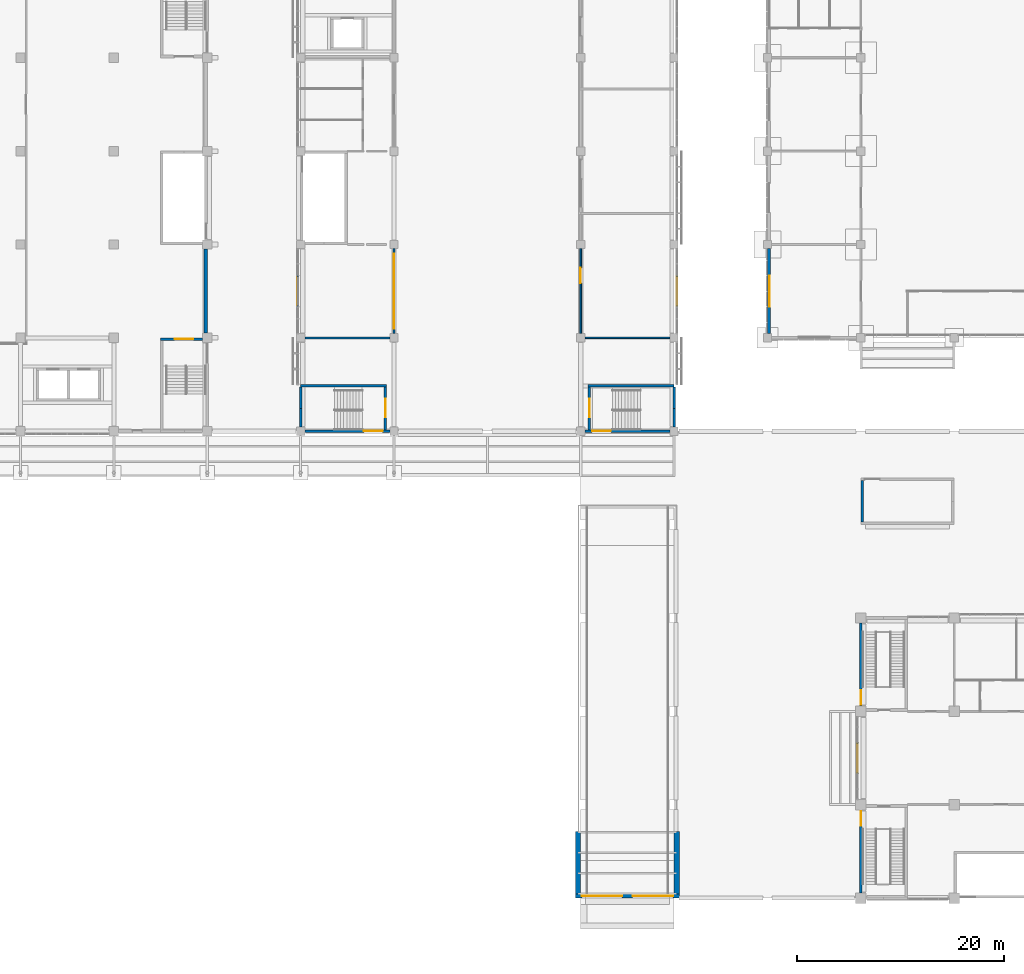
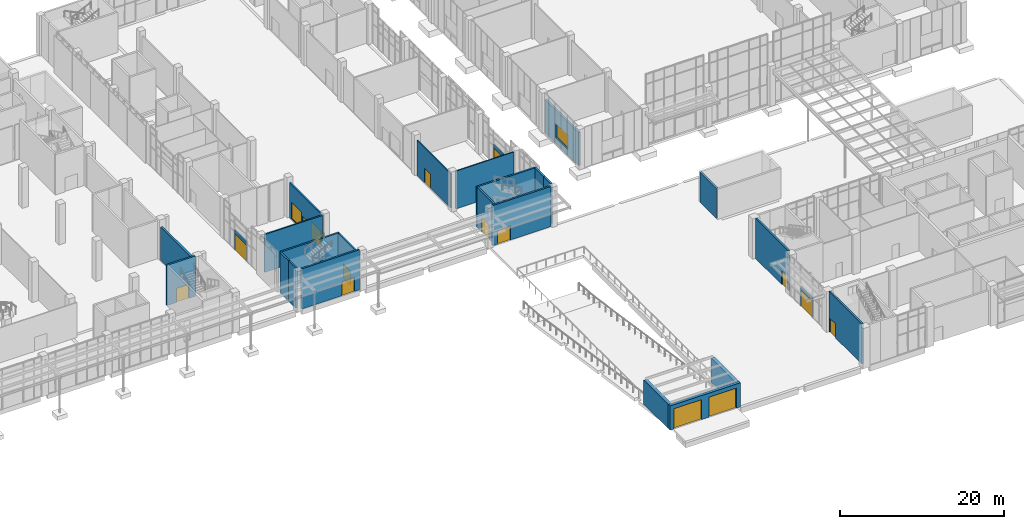
# One storey, part 51 of 86: 26 walls, 14 doors, 3 windows, 17 openings.
"""IFC4 building model written with IfcOpenShell, lengths in metres."""

from ifc_helpers import new_model, si_unit, direction, frame, frame_2d, origin, place, context, subcontext, project, spatial, rectangle, extrude, material, layer, layer_set, type_object, element, fill, save


model = new_model("IFC4")

# Units and contexts
model_context = context("Model", 3, precision=1e-05, world=origin(), true_north=direction((0.0, 1.0)))
body_context = subcontext(model_context, "Body", "Model", "MODEL_VIEW")
ifc_project = project(units=[si_unit("LENGTHUNIT", "METRE"), si_unit("AREAUNIT", "SQUARE_METRE"), si_unit("VOLUMEUNIT", "CUBIC_METRE"), si_unit("PLANEANGLEUNIT", "RADIAN"), si_unit("MASSUNIT", "GRAM", prefix="KILO")], contexts=[model_context])

# Site, building, storey
site_placement = place(None, origin())
site = spatial("IfcSite", under=ifc_project, at=site_placement, CompositionType="ELEMENT")
building_placement = place(site_placement, origin())
building = spatial("IfcBuilding", under=site, at=building_placement, Name="Guidao Yard Department Store", CompositionType="ELEMENT")
storey_placement = place(building_placement, origin())
storey = spatial("IfcBuildingStorey", under=building, at=storey_placement, Name="L00", CompositionType="ELEMENT", Elevation=0.0)

# Wall, opening, window
ifc_material_1 = material(Name="Concrete C30", Category="concrete")
ifc_layer_1 = layer(ifc_material_1, 0.300048828125)
ifc_layer_set_1 = layer_set([ifc_layer_1], Name="Food hall wall 300 C30")
wall_type_1 = type_object("IfcWallType", Name="Food hall wall 300 C30", PredefinedType="SOLIDWALL", material=ifc_layer_set_1)
wall_1_placement = place(storey_placement, frame((117.14990234375, 54.39990234375, 0.0), z_axis=(0.0, 0.0, 1.0), x_axis=(0.0, 1.0, 0.0)))
wall_1 = element("IfcWall", 1, at=wall_1_placement, inside=storey, type_object=wall_type_1, Name="Food hall wall", PredefinedType="SOLIDWALL", context=body_context, shape_type="SweptSolid", body=[
    extrude(rectangle(XDim=8.2001953125, YDim=0.300048828125, at=frame_2d((4.10009765625, 0.0))), origin(), (0.0, 0.0, 1.0), 4.949951171875),
])
opening_1_placement = place(wall_1_placement, frame((2.60009765625, 0.0, 0.89990234375)))
opening_1 = element("IfcOpeningElement", 2, at=opening_1_placement, cuts=wall_1, Name="Opening WN-L00-E12", PredefinedType="OPENING", context=body_context, shape_type="SweptSolid", body=[
    extrude(rectangle(XDim=3.0, YDim=2.10009765625, at=frame_2d((1.5, 1.050048828125))), frame((0.0, 0.159912109375, 0.0), z_axis=(0.0, -1.0, 0.0), x_axis=(1.0, 0.0, 0.0)), (0.0, 0.0, 1.0), 0.320068359375),
])
ifc_material_2 = material(Name="Laminated glass in aluminium frame", Category="aluminium")
window_type_1 = type_object("IfcWindowType", Name="Punched window PW2 3000 x 2100 fixed", PartitioningType="SINGLE_PANEL", PredefinedType="WINDOW", material=ifc_material_2)
window_1_placement = place(opening_1_placement, origin())
window_1 = element("IfcWindow", 3, at=window_1_placement, inside=storey, type_object=window_type_1, Name="Punched window", OverallHeight=2.10009765625, OverallWidth=3.0, PartitioningType="SINGLE_PANEL", PredefinedType="WINDOW", context=body_context, shape_type="SweptSolid", body=[
    extrude(rectangle(XDim=3.0, YDim=2.10009765625, at=frame_2d((1.5, 1.050048828125))), frame((0.0, -0.030029296875, 0.0), z_axis=(0.0, -1.0, 0.0), x_axis=(1.0, 0.0, 0.0)), (0.0, 0.0, 1.0), 0.06005859375),
])
fill(opening_1, window_1)

# Wall, opening, door
ifc_material_3 = material(Name="Aluminium 6063-T5", Category="aluminium")
ifc_layer_2 = layer(ifc_material_3, 0.1201171875)
ifc_layer_set_2 = layer_set([ifc_layer_2], Name="Glazing frame wall 120")
wall_type_2 = type_object("IfcWallType", Name="Glazing frame wall 120", PredefinedType="STANDARD", material=ifc_layer_set_2)
wall_2_placement = place(storey_placement, frame((71.719970703125, 57.030029296875, 0.0), z_axis=(0.0, 0.0, 1.0), x_axis=(0.0, 1.0, 0.0)))
wall_2 = element("IfcWall", 4, at=wall_2_placement, inside=storey, type_object=wall_type_2, Name="Frame wall for Main entrance E4", PredefinedType="STANDARD", context=body_context, shape_type="SweptSolid", body=[
    extrude(rectangle(XDim=2.93994140625, YDim=0.1201171875, at=frame_2d((1.469970703125, 0.0))), origin(), (0.0, 0.0, 1.0), 2.969970703125),
])
opening_2_placement = place(wall_2_placement, frame((0.070068359375, 0.0, 0.0)))
opening_2 = element("IfcOpeningElement", 5, at=opening_2_placement, cuts=wall_2, Name="Opening L00-863", PredefinedType="OPENING", context=body_context, shape_type="SweptSolid", body=[
    extrude(rectangle(XDim=2.800048828125, YDim=2.39990234375, at=frame_2d((1.39990234375, 1.199951171875))), frame((0.0, 0.070068359375, 0.0), z_axis=(0.0, -1.0, 0.0), x_axis=(1.0, 0.0, 0.0)), (0.0, 0.0, 1.0), 0.14013671875),
])
ifc_material_4 = material(Name="Toughened glass in Aluminium 6063-T5 frame", Category="aluminium")
door_type_1 = type_object("IfcDoorType", Name="Entrance door ED1 2800 x 2400 glazed double leaf", OperationType="DOUBLE_DOOR_SINGLE_SWING", PredefinedType="DOOR", material=ifc_material_4)
door_1_placement = place(opening_2_placement, origin())
door_1 = element("IfcDoor", 6, at=door_1_placement, inside=storey, type_object=door_type_1, Name="Main entrance E4", OperationType="DOUBLE_DOOR_SINGLE_SWING", OverallHeight=2.39990234375, OverallWidth=2.800048828125, PredefinedType="DOOR", context=body_context, shape_type="SweptSolid", body=[
    extrude(rectangle(XDim=2.800048828125, YDim=2.39990234375, at=frame_2d((1.39990234375, 1.199951171875))), frame((0.0, 0.02490234375, 0.0), z_axis=(0.0, -1.0, 0.0), x_axis=(1.0, 0.0, 0.0)), (0.0, 0.0, 1.0), 0.050048828125),
])
fill(opening_2, door_1)

wall_3_placement = place(storey_placement, frame((108.280029296875, 59.969970703125, 0.0), z_axis=(0.0, 0.0, 1.0), x_axis=(0.0, -1.0, 0.0)))
wall_3 = element("IfcWall", 7, at=wall_3_placement, inside=storey, type_object=wall_type_2, Name="Frame wall for Main entrance E6", PredefinedType="STANDARD", context=body_context, shape_type="SweptSolid", body=[
    extrude(rectangle(XDim=2.93994140625, YDim=0.1201171875, at=frame_2d((1.469970703125, 0.0))), origin(), (0.0, 0.0, 1.0), 2.969970703125),
])
opening_3_placement = place(wall_3_placement, frame((0.070068359375, 0.0, 0.0)))
opening_3 = element("IfcOpeningElement", 8, at=opening_3_placement, cuts=wall_3, Name="Opening L00-865", PredefinedType="OPENING", context=body_context, shape_type="SweptSolid", body=[
    extrude(rectangle(XDim=2.800048828125, YDim=2.39990234375, at=frame_2d((1.39990234375, 1.199951171875))), frame((0.0, 0.070068359375, 0.0), z_axis=(0.0, -1.0, 0.0), x_axis=(1.0, 0.0, 0.0)), (0.0, 0.0, 1.0), 0.14013671875),
])
door_2_placement = place(opening_3_placement, origin())
door_2 = element("IfcDoor", 9, at=door_2_placement, inside=storey, type_object=door_type_1, Name="Main entrance E6", OperationType="DOUBLE_DOOR_SINGLE_SWING", OverallHeight=2.39990234375, OverallWidth=2.800048828125, PredefinedType="DOOR", context=body_context, shape_type="SweptSolid", body=[
    extrude(rectangle(XDim=2.800048828125, YDim=2.39990234375, at=frame_2d((1.39990234375, 1.199951171875))), frame((0.0, 0.02490234375, 0.0), z_axis=(0.0, -1.0, 0.0), x_axis=(1.0, 0.0, 0.0)), (0.0, 0.0, 1.0), 0.050048828125),
])
fill(opening_3, door_2)

wall_4_placement = place(storey_placement, frame((125.669921875, 12.030029296875, 0.0), z_axis=(0.0, 0.0, 1.0), x_axis=(0.0, 1.0, 0.0)))
wall_4 = element("IfcWall", 10, at=wall_4_placement, inside=storey, type_object=wall_type_2, Name="Frame wall for door", PredefinedType="STANDARD", context=body_context, shape_type="SweptSolid", body=[
    extrude(rectangle(XDim=2.93994140625, YDim=0.1201171875, at=frame_2d((1.469970703125, 0.0))), origin(), (0.0, 0.0, 1.0), 2.969970703125),
])
opening_4_placement = place(wall_4_placement, frame((0.070068359375, 0.0, 0.0)))
opening_4 = element("IfcOpeningElement", 11, at=opening_4_placement, cuts=wall_4, Name="Opening L00-877", PredefinedType="OPENING", context=body_context, shape_type="SweptSolid", body=[
    extrude(rectangle(XDim=2.800048828125, YDim=2.39990234375, at=frame_2d((1.39990234375, 1.199951171875))), frame((0.0, 0.070068359375, 0.0), z_axis=(0.0, -1.0, 0.0), x_axis=(1.0, 0.0, 0.0)), (0.0, 0.0, 1.0), 0.14013671875),
])
door_3_placement = place(opening_4_placement, origin())
door_3 = element("IfcDoor", 12, at=door_3_placement, inside=storey, type_object=door_type_1, Name="Main entrance OE2", OperationType="DOUBLE_DOOR_SINGLE_SWING", OverallHeight=2.39990234375, OverallWidth=2.800048828125, PredefinedType="DOOR", context=body_context, shape_type="SweptSolid", body=[
    extrude(rectangle(XDim=2.800048828125, YDim=2.39990234375, at=frame_2d((1.39990234375, 1.199951171875))), frame((0.0, 0.02490234375, 0.0), z_axis=(0.0, -1.0, 0.0), x_axis=(1.0, 0.0, 0.0)), (0.0, 0.0, 1.0), 0.050048828125),
])
fill(opening_4, door_3)

# Walls
ifc_material_5 = material(Name="Concrete C35", Category="concrete")
ifc_layer_3 = layer(ifc_material_5, 0.300048828125)
ifc_layer_set_3 = layer_set([ifc_layer_3], Name="Hall facade wall 300 C35")
wall_type_3 = type_object("IfcWallType", Name="Hall facade wall 300 C35", PredefinedType="SOLIDWALL", material=ifc_layer_set_3)
wall_5_placement = place(storey_placement, frame((62.85009765625, 62.550048828125, 0.0), z_axis=(0.0, 0.0, 1.0), x_axis=(0.0, -1.0, 0.0)))
element("IfcWall", 13, at=wall_5_placement, inside=storey, type_object=wall_type_3, Name="Hall facade wall", PredefinedType="SOLIDWALL", context=body_context, shape_type="SweptSolid", body=[
    extrude(rectangle(XDim=8.10009765625, YDim=0.300048828125, at=frame_2d((4.050048828125, 0.0))), origin(), (0.0, 0.0, 1.0), 4.949951171875),
])
ifc_material_6 = material(Name="Concrete block MU10", Category="concrete")
ifc_layer_4 = layer(ifc_material_6, 0.199951171875)
ifc_layer_set_4 = layer_set([ifc_layer_4], Name="Shopfront Wall P4 200 mm blockwork EI 60")
wall_type_4 = type_object("IfcWallType", Name="Shopfront Wall P4 200 mm blockwork EI 60", PredefinedType="PARTITIONING", material=ifc_layer_set_4)
wall_6_placement = place(storey_placement, frame((72.39990234375, 54.0, 0.0), z_axis=(0.0, 0.0, 1.0), x_axis=(1.0, 0.0, 0.0)))
element("IfcWall", 14, at=wall_6_placement, inside=storey, type_object=wall_type_4, Name="Wall W-AL00-001", PredefinedType="PARTITIONING", context=body_context, shape_type="SweptSolid", body=[
    extrude(rectangle(XDim=8.2001953125, YDim=0.199951171875, at=frame_2d((4.10009765625, 0.0))), origin(), (0.0, 0.0, 1.0), 5.64990234375),
])

# Wall, openings, door, windows
wall_7_placement = place(storey_placement, frame((81.0, 54.39990234375, 0.0), z_axis=(0.0, 0.0, 1.0), x_axis=(0.0, 1.0, 0.0)))
wall_7 = element("IfcWall", 15, at=wall_7_placement, inside=storey, type_object=wall_type_4, Name="Wall W-AL00-003", PredefinedType="PARTITIONING", context=body_context, shape_type="SweptSolid", body=[
    extrude(rectangle(XDim=8.2001953125, YDim=0.199951171875, at=frame_2d((4.10009765625, 0.0))), origin(), (0.0, 0.0, 1.0), 5.199951171875),
])
opening_5_placement = place(wall_7_placement, frame((3.199951171875, 0.0, 0.0)))
opening_5 = element("IfcOpeningElement", 16, at=opening_5_placement, cuts=wall_7, Name="Opening AL00-001", PredefinedType="OPENING", context=body_context, shape_type="SweptSolid", body=[
    extrude(rectangle(XDim=1.800048828125, YDim=2.10009765625, at=frame_2d((0.89990234375, 1.050048828125))), frame((0.0, 0.10986328125, 0.0), z_axis=(0.0, -1.0, 0.0), x_axis=(1.0, 0.0, 0.0)), (0.0, 0.0, 1.0), 0.219970703125),
])
opening_6_placement = place(wall_7_placement, frame((0.5, 0.0, 0.14990234375)))
opening_6 = element("IfcOpeningElement", 17, at=opening_6_placement, cuts=wall_7, Name="Opening WN-AL00-301", PredefinedType="OPENING", context=body_context, shape_type="SweptSolid", body=[
    extrude(rectangle(XDim=2.5, YDim=2.39990234375, at=frame_2d((1.25, 1.199951171875))), frame((0.0, 0.10986328125, 0.0), z_axis=(0.0, -1.0, 0.0), x_axis=(1.0, 0.0, 0.0)), (0.0, 0.0, 1.0), 0.219970703125),
])
opening_7_placement = place(wall_7_placement, frame((5.199951171875, 0.0, 0.14990234375)))
opening_7 = element("IfcOpeningElement", 18, at=opening_7_placement, cuts=wall_7, Name="Opening WN-AL00-302", PredefinedType="OPENING", context=body_context, shape_type="SweptSolid", body=[
    extrude(rectangle(XDim=2.5, YDim=2.39990234375, at=frame_2d((1.25, 1.199951171875))), frame((0.0, 0.10986328125, 0.0), z_axis=(0.0, -1.0, 0.0), x_axis=(1.0, 0.0, 0.0)), (0.0, 0.0, 1.0), 0.219970703125),
])
ifc_material_7 = material(Name="Steel Q235", Category="steel")
door_type_2 = type_object("IfcDoorType", Name="Door FD5 double 1800 x 2100 FD60", OperationType="DOUBLE_DOOR_SINGLE_SWING", PredefinedType="DOOR", material=ifc_material_7)
door_4_placement = place(opening_5_placement, origin())
door_4 = element("IfcDoor", 19, at=door_4_placement, inside=storey, type_object=door_type_2, Name="Door AL00-001", OperationType="DOUBLE_DOOR_SINGLE_SWING", OverallHeight=2.10009765625, OverallWidth=1.800048828125, PredefinedType="DOOR", context=body_context, shape_type="SweptSolid", body=[
    extrude(rectangle(XDim=1.800048828125, YDim=2.10009765625, at=frame_2d((0.89990234375, 1.050048828125))), frame((0.0, 0.02490234375, 0.0), z_axis=(0.0, -1.0, 0.0), x_axis=(1.0, 0.0, 0.0)), (0.0, 0.0, 1.0), 0.050048828125),
])
fill(opening_5, door_4)
ifc_material_8 = material(Name="Fire-rated glazing in Steel Q235 frame", Category="steel")
window_type_2 = type_object("IfcWindowType", Name="Window WN1 fire-glazed shop panel 2500 x 2400 EI 60", PartitioningType="SINGLE_PANEL", PredefinedType="WINDOW", material=ifc_material_8)
window_2_placement = place(opening_6_placement, origin())
window_2 = element("IfcWindow", 20, at=window_2_placement, inside=storey, type_object=window_type_2, Name="Window WN-AL00-301", OverallHeight=2.39990234375, OverallWidth=2.5, PartitioningType="SINGLE_PANEL", PredefinedType="WINDOW", context=body_context, shape_type="SweptSolid", body=[
    extrude(rectangle(XDim=2.5, YDim=2.39990234375, at=frame_2d((1.25, 1.199951171875))), frame((0.0, 0.030029296875, 0.0), z_axis=(0.0, -1.0, 0.0), x_axis=(1.0, 0.0, 0.0)), (0.0, 0.0, 1.0), 0.06005859375),
])
fill(opening_6, window_2)
window_3_placement = place(opening_7_placement, origin())
window_3 = element("IfcWindow", 21, at=window_3_placement, inside=storey, type_object=window_type_2, Name="Window WN-AL00-302", OverallHeight=2.39990234375, OverallWidth=2.5, PartitioningType="SINGLE_PANEL", PredefinedType="WINDOW", context=body_context, shape_type="SweptSolid", body=[
    extrude(rectangle(XDim=2.5, YDim=2.39990234375, at=frame_2d((1.25, 1.199951171875))), frame((0.0, 0.030029296875, 0.0), z_axis=(0.0, -1.0, 0.0), x_axis=(1.0, 0.0, 0.0)), (0.0, 0.0, 1.0), 0.06005859375),
])
fill(opening_7, window_3)

# Wall
ifc_material_9 = material(Name="Concrete block MU10", Category="concrete")
ifc_layer_5 = layer(ifc_material_9, 0.14990234375)
ifc_layer_set_5 = layer_set([ifc_layer_5], Name="Wall P2 150 mm blockwork EI 60")
wall_type_5 = type_object("IfcWallType", Name="Wall P2 150 mm blockwork EI 60", PredefinedType="PARTITIONING", material=ifc_layer_set_5)
wall_8_placement = place(storey_placement, frame((99.39990234375, 54.0, 0.0), z_axis=(0.0, 0.0, 1.0), x_axis=(1.0, 0.0, 0.0)))
element("IfcWall", 22, at=wall_8_placement, inside=storey, type_object=wall_type_5, Name="Wall W-AL00-002", PredefinedType="PARTITIONING", context=body_context, shape_type="SweptSolid", body=[
    extrude(rectangle(XDim=8.2001953125, YDim=0.14990234375, at=frame_2d((4.10009765625, 0.0))), origin(), (0.0, 0.0, 1.0), 5.64990234375),
])

# Wall, opening, door
wall_9_placement = place(storey_placement, frame((99.0, 54.39990234375, 0.0), z_axis=(0.0, 0.0, 1.0), x_axis=(0.0, 1.0, 0.0)))
wall_9 = element("IfcWall", 23, at=wall_9_placement, inside=storey, type_object=wall_type_5, Name="Wall W-AL00-004", PredefinedType="PARTITIONING", context=body_context, shape_type="SweptSolid", body=[
    extrude(rectangle(XDim=8.2001953125, YDim=0.14990234375, at=frame_2d((4.10009765625, 0.0))), origin(), (0.0, 0.0, 1.0), 5.199951171875),
])
opening_8_placement = place(wall_9_placement, frame((6.35009765625, 0.0, 0.0), z_axis=(0.0, 0.0, 1.0), x_axis=(-1.0, 0.0, 0.0)))
opening_8 = element("IfcOpeningElement", 24, at=opening_8_placement, cuts=wall_9, Name="Opening AL00-002", PredefinedType="OPENING", context=body_context, shape_type="SweptSolid", body=[
    extrude(rectangle(XDim=1.5, YDim=2.10009765625, at=frame_2d((0.75, 1.050048828125))), frame((0.0, 0.0849609375, 0.0), z_axis=(0.0, -1.0, 0.0), x_axis=(1.0, 0.0, 0.0)), (0.0, 0.0, 1.0), 0.169921875),
])
ifc_material_10 = material(Name="Steel Q235", Category="steel")
door_type_3 = type_object("IfcDoorType", Name="Door FD11 trolley double 1500 x 2100 FD60", OperationType="DOUBLE_DOOR_SINGLE_SWING", PredefinedType="DOOR", material=ifc_material_10)
door_5_placement = place(opening_8_placement, origin())
door_5 = element("IfcDoor", 25, at=door_5_placement, inside=storey, type_object=door_type_3, Name="Door AL00-002", OperationType="DOUBLE_DOOR_SINGLE_SWING", OverallHeight=2.10009765625, OverallWidth=1.5, PredefinedType="DOOR", context=body_context, shape_type="SweptSolid", body=[
    extrude(rectangle(XDim=1.5, YDim=2.10009765625, at=frame_2d((0.75, 1.050048828125))), frame((0.0, 0.02490234375, 0.0), z_axis=(0.0, -1.0, 0.0), x_axis=(1.0, 0.0, 0.0)), (0.0, 0.0, 1.0), 0.050048828125),
])
fill(opening_8, door_5)

# Wall
ifc_material_11 = material(Name="Concrete C40", Category="concrete")
ifc_layer_6 = layer(ifc_material_11, 0.25)
ifc_layer_set_6 = layer_set([ifc_layer_6], Name="Wall RC 250 C40 stair and shaft")
wall_type_6 = type_object("IfcWallType", Name="Wall RC 250 C40 stair and shaft", PredefinedType="SHEAR", material=ifc_layer_set_6)
wall_10_placement = place(storey_placement, frame((126.125, 36.25, 0.0), z_axis=(0.0, 0.0, 1.0), x_axis=(0.0, 1.0, 0.0)))
element("IfcWall", 26, at=wall_10_placement, inside=storey, type_object=wall_type_6, Name="Stair wall BSY1", PredefinedType="SHEAR", context=body_context, shape_type="SweptSolid", body=[
    extrude(rectangle(XDim=4.0, YDim=0.25, at=frame_2d((2.0, 0.0))), origin(), (0.0, 0.0, 1.0), 4.5),
])

# Wall, opening, door
wall_11_placement = place(storey_placement, frame((58.5, 53.875, 0.0), z_axis=(0.0, 0.0, 1.0), x_axis=(1.0, 0.0, 0.0)))
wall_11 = element("IfcWall", 27, at=wall_11_placement, inside=storey, type_object=wall_type_6, Name="Stair wall SA2", PredefinedType="SHEAR", context=body_context, shape_type="SweptSolid", body=[
    extrude(rectangle(XDim=4.050048828125, YDim=0.25, at=frame_2d((2.02490234375, 0.0))), origin(), (0.0, 0.0, 1.0), 6.0),
])
opening_9_placement = place(wall_11_placement, frame((3.150146484375, 0.0, 0.0), z_axis=(0.0, 0.0, 1.0), x_axis=(-1.0, 0.0, 0.0)))
opening_9 = element("IfcOpeningElement", 28, at=opening_9_placement, cuts=wall_11, Name="Opening L00-810", PredefinedType="OPENING", context=body_context, shape_type="SweptSolid", body=[
    extrude(rectangle(XDim=1.800048828125, YDim=2.10009765625, at=frame_2d((0.89990234375, 1.050048828125))), frame((0.0, 0.135009765625, 0.0), z_axis=(0.0, -1.0, 0.0), x_axis=(1.0, 0.0, 0.0)), (0.0, 0.0, 1.0), 0.27001953125),
])
ifc_material_12 = material(Name="Steel Q235", Category="steel")
door_type_4 = type_object("IfcDoorType", Name="Door fire-resisting 1800 x 2100 FD60", OperationType="DOUBLE_DOOR_SINGLE_SWING", PredefinedType="DOOR", material=ifc_material_12)
door_6_placement = place(opening_9_placement, origin())
door_6 = element("IfcDoor", 29, at=door_6_placement, inside=storey, type_object=door_type_4, Name="Stair A2 door L00", OperationType="DOUBLE_DOOR_SINGLE_SWING", OverallHeight=2.10009765625, OverallWidth=1.800048828125, PredefinedType="DOOR", context=body_context, shape_type="SweptSolid", body=[
    extrude(rectangle(XDim=1.800048828125, YDim=2.10009765625, at=frame_2d((0.89990234375, 1.050048828125))), frame((0.0, 0.02490234375, 0.0), z_axis=(0.0, -1.0, 0.0), x_axis=(1.0, 0.0, 0.0)), (0.0, 0.0, 1.0), 0.050048828125),
])
fill(opening_9, door_6)

wall_12_placement = place(storey_placement, frame((72.39990234375, 45.0, 0.0), z_axis=(0.0, 0.0, 1.0), x_axis=(1.0, 0.0, 0.0)))
wall_12 = element("IfcWall", 30, at=wall_12_placement, inside=storey, type_object=wall_type_6, Name="Stair wall SG1", PredefinedType="SHEAR", context=body_context, shape_type="SweptSolid", body=[
    extrude(rectangle(XDim=8.2001953125, YDim=0.25, at=frame_2d((4.10009765625, 0.0))), origin(), (0.0, 0.0, 1.0), 6.0),
])
opening_10_placement = place(wall_12_placement, frame((7.5, 0.0, 0.0), z_axis=(0.0, 0.0, 1.0), x_axis=(-1.0, 0.0, 0.0)))
opening_10 = element("IfcOpeningElement", 31, at=opening_10_placement, cuts=wall_12, Name="Opening L00-831", PredefinedType="OPENING", context=body_context, shape_type="SweptSolid", body=[
    extrude(rectangle(XDim=1.800048828125, YDim=2.10009765625, at=frame_2d((0.89990234375, 1.050048828125))), frame((0.0, 0.135009765625, 0.0), z_axis=(0.0, -1.0, 0.0), x_axis=(1.0, 0.0, 0.0)), (0.0, 0.0, 1.0), 0.27001953125),
])
door_7_placement = place(opening_10_placement, origin())
door_7 = element("IfcDoor", 32, at=door_7_placement, inside=storey, type_object=door_type_4, Name="Stair G1 door L00 discharge", OperationType="DOUBLE_DOOR_SINGLE_SWING", OverallHeight=2.10009765625, OverallWidth=1.800048828125, PredefinedType="DOOR", context=body_context, shape_type="SweptSolid", body=[
    extrude(rectangle(XDim=1.800048828125, YDim=2.10009765625, at=frame_2d((0.89990234375, 1.050048828125))), frame((0.0, 0.02490234375, 0.0), z_axis=(0.0, -1.0, 0.0), x_axis=(1.0, 0.0, 0.0)), (0.0, 0.0, 1.0), 0.050048828125),
])
fill(opening_10, door_7)

# Walls
wall_13_placement = place(storey_placement, frame((72.0, 49.375, 0.0), z_axis=(0.0, 0.0, 1.0), x_axis=(1.0, 0.0, 0.0)))
element("IfcWall", 33, at=wall_13_placement, inside=storey, type_object=wall_type_6, Name="Stair wall SG1", PredefinedType="SHEAR", context=body_context, shape_type="SweptSolid", body=[
    extrude(rectangle(XDim=8.300048828125, YDim=0.25, at=frame_2d((4.14990234375, 0.0))), origin(), (0.0, 0.0, 1.0), 6.0),
])
wall_14_placement = place(storey_placement, frame((72.0, 45.39990234375, 0.0), z_axis=(0.0, 0.0, 1.0), x_axis=(0.0, 1.0, 0.0)))
element("IfcWall", 34, at=wall_14_placement, inside=storey, type_object=wall_type_6, Name="Stair wall SG1", PredefinedType="SHEAR", context=body_context, shape_type="SweptSolid", body=[
    extrude(rectangle(XDim=1.7880859375, YDim=0.25, at=frame_2d((0.89404296875, 0.0))), origin(), (0.0, 0.0, 1.0), 6.0),
])
wall_15_placement = place(storey_placement, frame((72.0, 47.18798828125, 0.0), z_axis=(0.0, 0.0, 1.0), x_axis=(0.0, 1.0, 0.0)))
element("IfcWall", 35, at=wall_15_placement, inside=storey, type_object=wall_type_6, Name="Stair wall SG1", PredefinedType="SHEAR", context=body_context, shape_type="SweptSolid", body=[
    extrude(rectangle(XDim=2.06201171875, YDim=0.25, at=frame_2d((1.031005859375, 0.0))), origin(), (0.0, 0.0, 1.0), 6.0),
])

# Wall, opening, door
wall_16_placement = place(storey_placement, frame((80.175048828125, 45.125, 0.0), z_axis=(0.0, 0.0, 1.0), x_axis=(0.0, 1.0, 0.0)))
wall_16 = element("IfcWall", 36, at=wall_16_placement, inside=storey, type_object=wall_type_6, Name="Stair wall SG1", PredefinedType="SHEAR", context=body_context, shape_type="SweptSolid", body=[
    extrude(rectangle(XDim=4.125, YDim=0.25, at=frame_2d((2.0625, 0.0))), origin(), (0.0, 0.0, 1.0), 6.0),
])
opening_11_placement = place(wall_16_placement, frame((3.025146484375, 0.0, 0.0), z_axis=(0.0, 0.0, 1.0), x_axis=(-1.0, 0.0, 0.0)))
opening_11 = element("IfcOpeningElement", 37, at=opening_11_placement, cuts=wall_16, Name="Opening L00-830", PredefinedType="OPENING", context=body_context, shape_type="SweptSolid", body=[
    extrude(rectangle(XDim=1.800048828125, YDim=2.10009765625, at=frame_2d((0.89990234375, 1.050048828125))), frame((0.0, 0.135009765625, 0.0), z_axis=(0.0, -1.0, 0.0), x_axis=(1.0, 0.0, 0.0)), (0.0, 0.0, 1.0), 0.27001953125),
])
door_8_placement = place(opening_11_placement, origin())
door_8 = element("IfcDoor", 38, at=door_8_placement, inside=storey, type_object=door_type_4, Name="Stair G1 door L00", OperationType="DOUBLE_DOOR_SINGLE_SWING", OverallHeight=2.10009765625, OverallWidth=1.800048828125, PredefinedType="DOOR", context=body_context, shape_type="SweptSolid", body=[
    extrude(rectangle(XDim=1.800048828125, YDim=2.10009765625, at=frame_2d((0.89990234375, 1.050048828125))), frame((0.0, 0.02490234375, 0.0), z_axis=(0.0, -1.0, 0.0), x_axis=(1.0, 0.0, 0.0)), (0.0, 0.0, 1.0), 0.050048828125),
])
fill(opening_11, door_8)

wall_17_placement = place(storey_placement, frame((99.39990234375, 45.0, 0.0), z_axis=(0.0, 0.0, 1.0), x_axis=(1.0, 0.0, 0.0)))
wall_17 = element("IfcWall", 39, at=wall_17_placement, inside=storey, type_object=wall_type_6, Name="Stair wall SG3", PredefinedType="SHEAR", context=body_context, shape_type="SweptSolid", body=[
    extrude(rectangle(XDim=8.2001953125, YDim=0.25, at=frame_2d((4.10009765625, 0.0))), origin(), (0.0, 0.0, 1.0), 6.0),
])
opening_12_placement = place(wall_17_placement, frame((2.5, 0.0, 0.0), z_axis=(0.0, 0.0, 1.0), x_axis=(-1.0, 0.0, 0.0)))
opening_12 = element("IfcOpeningElement", 40, at=opening_12_placement, cuts=wall_17, Name="Opening L00-835", PredefinedType="OPENING", context=body_context, shape_type="SweptSolid", body=[
    extrude(rectangle(XDim=1.800048828125, YDim=2.10009765625, at=frame_2d((0.89990234375, 1.050048828125))), frame((0.0, 0.135009765625, 0.0), z_axis=(0.0, -1.0, 0.0), x_axis=(1.0, 0.0, 0.0)), (0.0, 0.0, 1.0), 0.27001953125),
])
door_9_placement = place(opening_12_placement, origin())
door_9 = element("IfcDoor", 41, at=door_9_placement, inside=storey, type_object=door_type_4, Name="Stair G3 door L00 discharge", OperationType="DOUBLE_DOOR_SINGLE_SWING", OverallHeight=2.10009765625, OverallWidth=1.800048828125, PredefinedType="DOOR", context=body_context, shape_type="SweptSolid", body=[
    extrude(rectangle(XDim=1.800048828125, YDim=2.10009765625, at=frame_2d((0.89990234375, 1.050048828125))), frame((0.0, 0.02490234375, 0.0), z_axis=(0.0, -1.0, 0.0), x_axis=(1.0, 0.0, 0.0)), (0.0, 0.0, 1.0), 0.050048828125),
])
fill(opening_12, door_9)

# Wall
wall_18_placement = place(storey_placement, frame((99.699951171875, 49.375, 0.0), z_axis=(0.0, 0.0, 1.0), x_axis=(1.0, 0.0, 0.0)))
element("IfcWall", 42, at=wall_18_placement, inside=storey, type_object=wall_type_6, Name="Stair wall SG3", PredefinedType="SHEAR", context=body_context, shape_type="SweptSolid", body=[
    extrude(rectangle(XDim=8.300048828125, YDim=0.25, at=frame_2d((4.14990234375, 0.0))), origin(), (0.0, 0.0, 1.0), 6.0),
])

# Wall, opening, door
wall_19_placement = place(storey_placement, frame((99.824951171875, 45.125, 0.0), z_axis=(0.0, 0.0, 1.0), x_axis=(0.0, 1.0, 0.0)))
wall_19 = element("IfcWall", 43, at=wall_19_placement, inside=storey, type_object=wall_type_6, Name="Stair wall SG3", PredefinedType="SHEAR", context=body_context, shape_type="SweptSolid", body=[
    extrude(rectangle(XDim=4.125, YDim=0.25, at=frame_2d((2.0625, 0.0))), origin(), (0.0, 0.0, 1.0), 6.0),
])
opening_13_placement = place(wall_19_placement, frame((1.22509765625, 0.0, 0.0)))
opening_13 = element("IfcOpeningElement", 44, at=opening_13_placement, cuts=wall_19, Name="Opening L00-834", PredefinedType="OPENING", context=body_context, shape_type="SweptSolid", body=[
    extrude(rectangle(XDim=1.800048828125, YDim=2.10009765625, at=frame_2d((0.89990234375, 1.050048828125))), frame((0.0, 0.135009765625, 0.0), z_axis=(0.0, -1.0, 0.0), x_axis=(1.0, 0.0, 0.0)), (0.0, 0.0, 1.0), 0.27001953125),
])
door_10_placement = place(opening_13_placement, origin())
door_10 = element("IfcDoor", 45, at=door_10_placement, inside=storey, type_object=door_type_4, Name="Stair G3 door L00", OperationType="DOUBLE_DOOR_SINGLE_SWING", OverallHeight=2.10009765625, OverallWidth=1.800048828125, PredefinedType="DOOR", context=body_context, shape_type="SweptSolid", body=[
    extrude(rectangle(XDim=1.800048828125, YDim=2.10009765625, at=frame_2d((0.89990234375, 1.050048828125))), frame((0.0, 0.02490234375, 0.0), z_axis=(0.0, -1.0, 0.0), x_axis=(1.0, 0.0, 0.0)), (0.0, 0.0, 1.0), 0.050048828125),
])
fill(opening_13, door_10)

# Walls
wall_20_placement = place(storey_placement, frame((108.0, 45.39990234375, 0.0), z_axis=(0.0, 0.0, 1.0), x_axis=(0.0, 1.0, 0.0)))
element("IfcWall", 46, at=wall_20_placement, inside=storey, type_object=wall_type_6, Name="Stair wall SG3", PredefinedType="SHEAR", context=body_context, shape_type="SweptSolid", body=[
    extrude(rectangle(XDim=1.7880859375, YDim=0.25, at=frame_2d((0.89404296875, 0.0))), origin(), (0.0, 0.0, 1.0), 6.0),
])
wall_21_placement = place(storey_placement, frame((108.0, 47.18798828125, 0.0), z_axis=(0.0, 0.0, 1.0), x_axis=(0.0, 1.0, 0.0)))
element("IfcWall", 47, at=wall_21_placement, inside=storey, type_object=wall_type_6, Name="Stair wall SG3", PredefinedType="SHEAR", context=body_context, shape_type="SweptSolid", body=[
    extrude(rectangle(XDim=2.06201171875, YDim=0.25, at=frame_2d((1.031005859375, 0.0))), origin(), (0.0, 0.0, 1.0), 6.0),
])

# Wall, opening, door
wall_22_placement = place(storey_placement, frame((126.0, 0.5, 0.0), z_axis=(0.0, 0.0, 1.0), x_axis=(0.0, 1.0, 0.0)))
wall_22 = element("IfcWall", 48, at=wall_22_placement, inside=storey, type_object=wall_type_6, Name="Stair wall SO1", PredefinedType="SHEAR", context=body_context, shape_type="SweptSolid", body=[
    extrude(rectangle(XDim=8.0, YDim=0.25, at=frame_2d((4.0, 0.0))), origin(), (0.0, 0.0, 1.0), 6.0),
])
opening_14_placement = place(wall_22_placement, frame((6.449951171875, 0.0, 0.0)))
opening_14 = element("IfcOpeningElement", 49, at=opening_14_placement, cuts=wall_22, Name="Opening L00-839", PredefinedType="OPENING", context=body_context, shape_type="SweptSolid", body=[
    extrude(rectangle(XDim=1.39990234375, YDim=2.10009765625, at=frame_2d((0.699951171875, 1.050048828125))), frame((0.0, 0.135009765625, 0.0), z_axis=(0.0, -1.0, 0.0), x_axis=(1.0, 0.0, 0.0)), (0.0, 0.0, 1.0), 0.27001953125),
])
ifc_material_13 = material(Name="Steel Q235", Category="steel")
door_type_5 = type_object("IfcDoorType", Name="Door fire-resisting 1400 x 2100 FD60", OperationType="DOUBLE_DOOR_SINGLE_SWING", PredefinedType="DOOR", material=ifc_material_13)
door_11_placement = place(opening_14_placement, origin())
door_11 = element("IfcDoor", 50, at=door_11_placement, inside=storey, type_object=door_type_5, Name="Stair O1 door L00 discharge", OperationType="DOUBLE_DOOR_SINGLE_SWING", OverallHeight=2.10009765625, OverallWidth=1.39990234375, PredefinedType="DOOR", context=body_context, shape_type="SweptSolid", body=[
    extrude(rectangle(XDim=1.39990234375, YDim=2.10009765625, at=frame_2d((0.699951171875, 1.050048828125))), frame((0.0, 0.02490234375, 0.0), z_axis=(0.0, -1.0, 0.0), x_axis=(1.0, 0.0, 0.0)), (0.0, 0.0, 1.0), 0.050048828125),
])
fill(opening_14, door_11)

wall_23_placement = place(storey_placement, frame((126.0, 18.5, 0.0), z_axis=(0.0, 0.0, 1.0), x_axis=(0.0, 1.0, 0.0)))
wall_23 = element("IfcWall", 51, at=wall_23_placement, inside=storey, type_object=wall_type_6, Name="Stair wall SO3", PredefinedType="SHEAR", context=body_context, shape_type="SweptSolid", body=[
    extrude(rectangle(XDim=8.0, YDim=0.25, at=frame_2d((4.0, 0.0))), origin(), (0.0, 0.0, 1.0), 6.0),
])
opening_15_placement = place(wall_23_placement, frame((0.14990234375, 0.0, 0.0)))
opening_15 = element("IfcOpeningElement", 52, at=opening_15_placement, cuts=wall_23, Name="Opening L00-843", PredefinedType="OPENING", context=body_context, shape_type="SweptSolid", body=[
    extrude(rectangle(XDim=1.39990234375, YDim=2.10009765625, at=frame_2d((0.699951171875, 1.050048828125))), frame((0.0, 0.135009765625, 0.0), z_axis=(0.0, -1.0, 0.0), x_axis=(1.0, 0.0, 0.0)), (0.0, 0.0, 1.0), 0.27001953125),
])
door_12_placement = place(opening_15_placement, origin())
door_12 = element("IfcDoor", 53, at=door_12_placement, inside=storey, type_object=door_type_5, Name="Stair O3 door L00 discharge", OperationType="DOUBLE_DOOR_SINGLE_SWING", OverallHeight=2.10009765625, OverallWidth=1.39990234375, PredefinedType="DOOR", context=body_context, shape_type="SweptSolid", body=[
    extrude(rectangle(XDim=1.39990234375, YDim=2.10009765625, at=frame_2d((0.699951171875, 1.050048828125))), frame((0.0, 0.02490234375, 0.0), z_axis=(0.0, -1.0, 0.0), x_axis=(1.0, 0.0, 0.0)), (0.0, 0.0, 1.0), 0.050048828125),
])
fill(opening_15, door_12)

# Wall, openings, doors
ifc_material_14 = material(Name="Concrete C30", Category="concrete")
ifc_layer_7 = layer(ifc_material_14, 0.39990234375)
ifc_layer_set_7 = layer_set([ifc_layer_7], Name="Wall RC 400 C30 portal")
wall_type_7 = type_object("IfcWallType", Name="Wall RC 400 C30 portal", PredefinedType="STANDARD", material=ifc_layer_set_7)
wall_24_placement = place(storey_placement, frame((98.5, 0.199951171875, 0.0), z_axis=(0.0, 0.0, 1.0), x_axis=(1.0, 0.0, 0.0)))
wall_24 = element("IfcWall", 54, at=wall_24_placement, inside=storey, type_object=wall_type_7, Name="Ramp A portal wall", PredefinedType="STANDARD", context=body_context, shape_type="SweptSolid", body=[
    extrude(rectangle(XDim=10.0, YDim=0.39990234375, at=frame_2d((5.0, 0.0))), origin(), (0.0, 0.0, 1.0), 3.60009765625),
])
opening_16_placement = place(wall_24_placement, frame((0.60009765625, 0.0, 0.0)))
opening_16 = element("IfcOpeningElement", 55, at=opening_16_placement, cuts=wall_24, Name="Opening L00-844", PredefinedType="OPENING", context=body_context, shape_type="SweptSolid", body=[
    extrude(rectangle(XDim=3.89990234375, YDim=3.0, at=frame_2d((1.949951171875, 1.5))), frame((0.0, 0.2099609375, 0.0), z_axis=(0.0, -1.0, 0.0), x_axis=(1.0, 0.0, 0.0)), (0.0, 0.0, 1.0), 0.419921875),
])
opening_17_placement = place(wall_24_placement, frame((5.5, 0.0, 0.0)))
opening_17 = element("IfcOpeningElement", 56, at=opening_17_placement, cuts=wall_24, Name="Opening L00-845", PredefinedType="OPENING", context=body_context, shape_type="SweptSolid", body=[
    extrude(rectangle(XDim=3.89990234375, YDim=3.0, at=frame_2d((1.949951171875, 1.5))), frame((0.0, 0.2099609375, 0.0), z_axis=(0.0, -1.0, 0.0), x_axis=(1.0, 0.0, 0.0)), (0.0, 0.0, 1.0), 0.419921875),
])
ifc_material_15 = material(Name="Steel Q235", Category="steel")
door_type_6 = type_object("IfcDoorType", Name="Vehicle gate roller shutter 3900 x 3000", OperationType="ROLLINGUP", PredefinedType="DOOR", material=ifc_material_15)
door_13_placement = place(opening_16_placement, origin())
door_13 = element("IfcDoor", 57, at=door_13_placement, inside=storey, type_object=door_type_6, Name="Vehicle gate 1", OperationType="ROLLINGUP", OverallHeight=3.0, OverallWidth=3.89990234375, PredefinedType="DOOR", context=body_context, shape_type="SweptSolid", body=[
    extrude(rectangle(XDim=3.89990234375, YDim=3.0, at=frame_2d((1.949951171875, 1.5))), frame((0.0, 0.02490234375, 0.0), z_axis=(0.0, -1.0, 0.0), x_axis=(1.0, 0.0, 0.0)), (0.0, 0.0, 1.0), 0.050048828125),
])
fill(opening_16, door_13)
door_14_placement = place(opening_17_placement, origin())
door_14 = element("IfcDoor", 58, at=door_14_placement, inside=storey, type_object=door_type_6, Name="Vehicle gate 2", OperationType="ROLLINGUP", OverallHeight=3.0, OverallWidth=3.89990234375, PredefinedType="DOOR", context=body_context, shape_type="SweptSolid", body=[
    extrude(rectangle(XDim=3.89990234375, YDim=3.0, at=frame_2d((1.949951171875, 1.5))), frame((0.0, 0.02490234375, 0.0), z_axis=(0.0, -1.0, 0.0), x_axis=(1.0, 0.0, 0.0)), (0.0, 0.0, 1.0), 0.050048828125),
])
fill(opening_17, door_14)

# Walls
ifc_material_16 = material(Name="Concrete C30", Category="concrete")
ifc_layer_8 = layer(ifc_material_16, 0.5)
ifc_layer_set_8 = layer_set([ifc_layer_8], Name="Wall RC 500 C30 portal flank")
wall_type_8 = type_object("IfcWallType", Name="Wall RC 500 C30 portal flank", PredefinedType="STANDARD", material=ifc_layer_set_8)
for number, where, z_axis, x_axis, name in (
    (59, (98.75, 0.39990234375, 0.0), (0.0, 0.0, 1.0), (0.0, 1.0, 0.0), "Ramp A portal flank wall west"),
    (60, (108.25, 0.39990234375, 0.0), (0.0, 0.0, 1.0), (0.0, 1.0, 0.0), "Ramp A portal flank wall east"),
):
    element("IfcWall", number, at=place(storey_placement, frame(where, z_axis=z_axis, x_axis=x_axis)), inside=storey, type_object=wall_type_8, Name=name, PredefinedType="STANDARD", context=body_context, shape_type="SweptSolid", body=[
        extrude(rectangle(XDim=6.0, YDim=0.5, at=frame_2d((3.0, 0.0))), origin(), (0.0, 0.0, 1.0), 3.60009765625),
    ])

save(model, "model.ifc")
